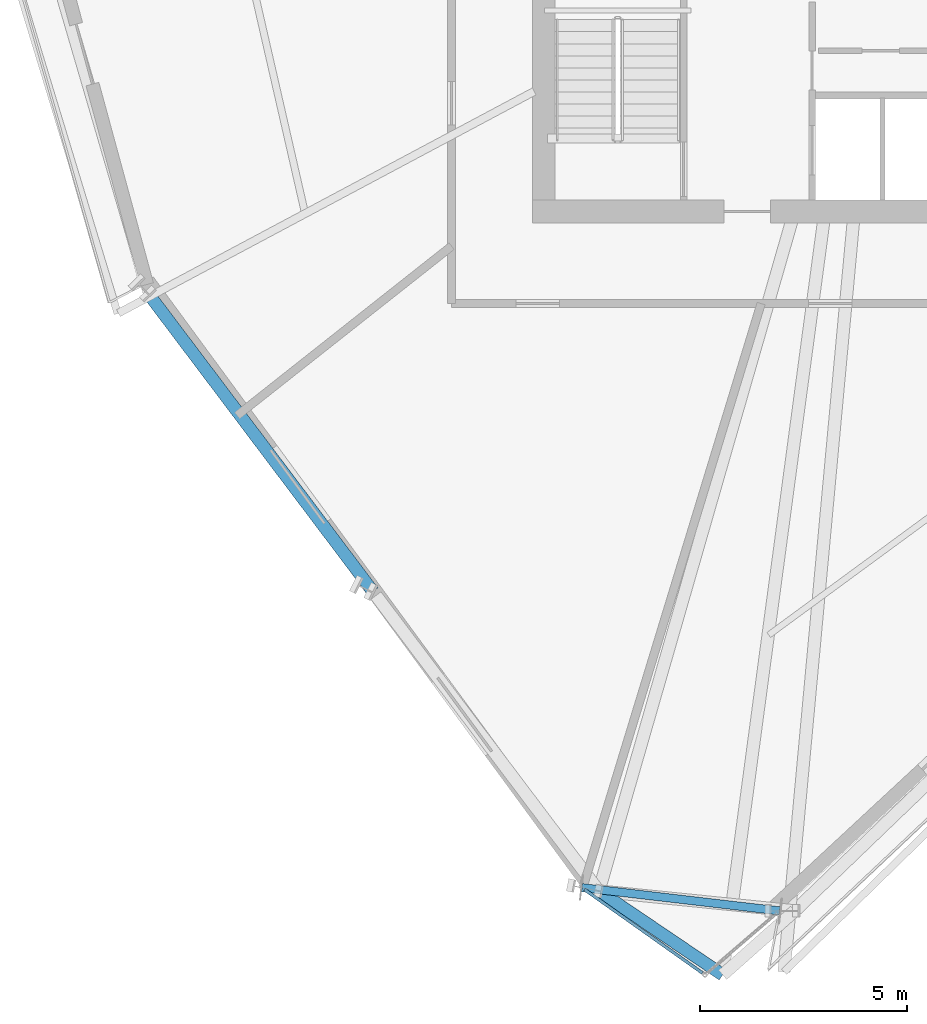
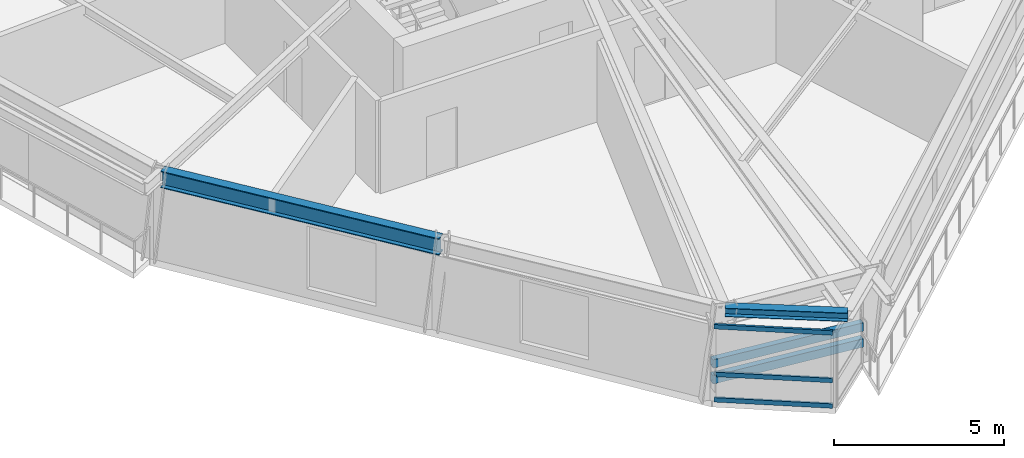
# One storey, part 3 of 15: 5 members, 2 beams, 1 element without a shape of its own.
"""IFC4 building model written with IfcOpenShell, lengths in metres."""

from ifc_helpers import new_model, si_unit, direction, frame, origin, origin_2d, place, context, subcontext, project, spatial, hollow_rectangle, i_section, extrude, source, transform, mapped, material, material_profile, profile_set, type_object, element, aggregate, save


model = new_model("IFC4")

# Units and contexts
model_context = context("Model", 3, precision=1e-05, world=origin(), true_north=direction((0.0, 1.0)))
body_context = subcontext(model_context, "Body", "Model", "MODEL_VIEW")
ifc_project = project(units=[si_unit("LENGTHUNIT", "METRE"), si_unit("AREAUNIT", "SQUARE_METRE"), si_unit("VOLUMEUNIT", "CUBIC_METRE"), si_unit("PLANEANGLEUNIT", "RADIAN"), si_unit("MASSUNIT", "GRAM", prefix="KILO")], contexts=[model_context])

# Site, building, storey
site_placement = place(None, origin())
site = spatial("IfcSite", under=ifc_project, at=site_placement, CompositionType="ELEMENT")
building_placement = place(site_placement, origin())
building = spatial("IfcBuilding", under=site, at=building_placement, Name="Olszyna Solenne Hotel", CompositionType="ELEMENT")
storey_placement = place(building_placement, frame((0.0, 0.0, 146.60009765625)))
storey = spatial("IfcBuildingStorey", under=building, at=storey_placement, Name="L38", CompositionType="ELEMENT", Elevation=146.60009765625)

# Beams
ifc_material_1 = material(Name="Steel S355J2", Category="steel")
ifc_material_profile_1 = material_profile(ifc_material_1, i_section(OverallWidth=0.300048828125, OverallDepth=0.60009765625, WebThickness=0.015380859375, FlangeThickness=0.030029296875, at=origin_2d()), Name="HEB 600", Category="load-bearing")
ifc_profile_set_1 = profile_set([ifc_material_profile_1], Name="Steel S355J2")
beam_type_1 = type_object("IfcBeamType", Name="BM-S2", PredefinedType="BEAM", material=ifc_profile_set_1)
shared_shape_1 = source(origin(), body_context, "Body", "SweptSolid", [
    extrude(i_section(OverallWidth=0.300048828125, OverallDepth=0.60009765625, WebThickness=0.015380859375, FlangeThickness=0.030029296875, at=origin_2d()), origin(), (0.0, 0.0, 1.0), 8.8720703125),
])
beam_1_placement = place(storey_placement, frame((20.361328125, 17.1337890625, 3.0), z_axis=(0.602071759325, -0.798441980749, 0.0), x_axis=(0.798441980749, 0.602071759325, 0.0)))
element("IfcBeam", 1, at=beam_1_placement, inside=storey, type_object=beam_type_1, Name="Perimeter spandrel beam BM-S2 B-L38-1132", PredefinedType="BEAM", context=body_context, shape_type="MappedRepresentation", body=[
    mapped(shared_shape_1, transform((0.0, 0.0, 0.0), x_axis=(1.0, 0.0, 0.0), y_axis=(0.0, 1.0, 0.0), z_axis=(0.0, 0.0, 1.0), scale=1.0)),
])
ifc_material_profile_2 = material_profile(ifc_material_1, i_section(OverallWidth=0.300048828125, OverallDepth=0.31005859375, WebThickness=0.009033203125, FlangeThickness=0.015380859375, at=origin_2d()), Name="HEA 320", Category="load-bearing")
ifc_profile_set_2 = profile_set([ifc_material_profile_2], Name="Steel S355J2")
beam_type_2 = type_object("IfcBeamType", Name="BM-G3", PredefinedType="BEAM", material=ifc_profile_set_2)
shared_shape_2 = source(origin(), body_context, "Body", "SweptSolid", [
    extrude(i_section(OverallWidth=0.300048828125, OverallDepth=0.31005859375, WebThickness=0.009033203125, FlangeThickness=0.015380859375, at=origin_2d()), origin(), (0.0, 0.0, 1.0), 3.60791015625),
])
beam_2_placement = place(storey_placement, frame((31.153076171875, 2.822509765625, 3.14501953125), z_axis=(0.828115271224, -0.560557844977, 0.0), x_axis=(0.560557844977, 0.828115271224, 0.0)))
element("IfcBeam", 2, at=beam_2_placement, inside=storey, type_object=beam_type_2, Name="Prism side edge beam BM-G3 B-L38-1147", PredefinedType="BEAM", context=body_context, shape_type="MappedRepresentation", body=[
    mapped(shared_shape_2, transform((0.0, 0.0, 0.0), x_axis=(1.0, 0.0, 0.0), y_axis=(0.0, 1.0, 0.0), z_axis=(0.0, 0.0, 1.0), scale=1.0)),
])

# Members
ifc_material_profile_3 = material_profile(ifc_material_1, hollow_rectangle(XDim=0.199951171875, YDim=0.300048828125, WallThickness=0.01611328125, at=origin_2d()), Name="RHS 300x200x16", Category="load-bearing")
ifc_profile_set_3 = profile_set([ifc_material_profile_3], Name="Steel S355J2")
member_type_1 = type_object("IfcMemberType", Name="CH-PR1", PredefinedType="CHORD", material=ifc_profile_set_3)
shared_shape_3 = source(origin(), body_context, "Body", "SweptSolid", [
    extrude(hollow_rectangle(XDim=0.199951171875, YDim=0.300048828125, WallThickness=0.01611328125, at=origin_2d()), origin(), (0.0, 0.0, 1.0), 4.80224609375),
])
for number, where, z_axis, x_axis, name in (
    (3, (30.74609375, 2.90380859375, 1.349853515625), (0.993170370048, -0.11667311626, 0.0), (0.11667311626, 0.993170370048, 0.0), "Glass-prism tie chord CH-PR1 M-L38-PR1"),
    (4, (30.74609375, 2.90380859375, 0.77978515625), (0.993170370048, -0.11667311626, 0.0), (0.11667311626, 0.993170370048, 0.0), "Glass-prism tie chord CH-PR1 M-L38-PR2"),
):
    element("IfcMember", number, at=place(storey_placement, frame(where, z_axis=z_axis, x_axis=x_axis)), inside=storey, type_object=member_type_1, Name=name, PredefinedType="CHORD", context=body_context, shape_type="MappedRepresentation", body=[
        mapped(shared_shape_3, transform((0.0, 0.0, 0.0), x_axis=(1.0, 0.0, 0.0), y_axis=(0.0, 1.0, 0.0), z_axis=(0.0, 0.0, 1.0), scale=1.0)),
    ])

# Curtain wall, members
ifc_material_2 = material(Name="Anodised bronze aluminium", Category="aluminium")
curtain_wall_type = type_object("IfcCurtainWallType", Name="CW-SYS-5", PredefinedType="NOTDEFINED", material=ifc_material_2)
curtain_wall_placement = place(storey_placement, origin())
curtain_wall = element("IfcCurtainWall", 5, at=curtain_wall_placement, inside=storey, type_object=curtain_wall_type, Name="Unitised curtain wall CW-SYS-5 CW-L38-02", PredefinedType="NOTDEFINED")
ifc_material_profile_4 = material_profile(ifc_material_2, hollow_rectangle(XDim=0.074951171875, YDim=0.159912109375, WallThickness=0.00390625, at=origin_2d()), Name="TRAN 160x75x4", Category="load-bearing")
ifc_profile_set_4 = profile_set([ifc_material_profile_4], Name="Anodised bronze aluminium")
member_type_2 = type_object("IfcMemberType", Name="CW-T1", PredefinedType="USERDEFINED", material=ifc_profile_set_4)
shared_shape_4 = source(origin(), body_context, "Body", "SweptSolid", [
    extrude(hollow_rectangle(XDim=0.074951171875, YDim=0.159912109375, WallThickness=0.00390625, at=origin_2d()), origin(), (0.0, 0.0, 1.0), 3.490234375),
])
member_1_placement = place(storey_placement, frame((30.80712890625, 2.8603515625, 0.037353515625), z_axis=(0.816094585796, -0.57791835672, 0.0), x_axis=(0.57791835672, 0.816094585796, 0.0)))
member_1 = element("IfcMember", 6, at=member_1_placement, type_object=member_type_2, Name="Curtain-wall transom CW-T1 CT-L38-02-01", ObjectType="TRANSOM", PredefinedType="USERDEFINED", context=body_context, shape_type="MappedRepresentation", body=[
    mapped(shared_shape_4, transform((0.0, 0.0, 0.0), x_axis=(1.0, 0.0, 0.0), y_axis=(0.0, 1.0, 0.0), z_axis=(0.0, 0.0, 1.0), scale=1.0)),
])
member_2_placement = place(storey_placement, frame((30.80712890625, 2.8603515625, 0.949951171875), z_axis=(0.816094585796, -0.57791835672, 0.0), x_axis=(0.57791835672, 0.816094585796, 0.0)))
member_2 = element("IfcMember", 7, at=member_2_placement, type_object=member_type_2, Name="Curtain-wall transom CW-T1 CT-L38-02-02", ObjectType="TRANSOM", PredefinedType="USERDEFINED", context=body_context, shape_type="MappedRepresentation", body=[
    mapped(shared_shape_4, transform((0.0, 0.0, 0.0), x_axis=(1.0, 0.0, 0.0), y_axis=(0.0, 1.0, 0.0), z_axis=(0.0, 0.0, 1.0), scale=1.0)),
])
member_3_placement = place(storey_placement, frame((30.80712890625, 2.8603515625, 2.654296875), z_axis=(0.816094585796, -0.57791835672, 0.0), x_axis=(0.57791835672, 0.816094585796, 0.0)))
member_3 = element("IfcMember", 8, at=member_3_placement, type_object=member_type_2, Name="Curtain-wall transom CW-T1 CT-L38-02-03", ObjectType="TRANSOM", PredefinedType="USERDEFINED", context=body_context, shape_type="MappedRepresentation", body=[
    mapped(shared_shape_4, transform((0.0, 0.0, 0.0), x_axis=(1.0, 0.0, 0.0), y_axis=(0.0, 1.0, 0.0), z_axis=(0.0, 0.0, 1.0), scale=1.0)),
])
aggregate(curtain_wall, [member_1, member_2, member_3])

save(model, "model.ifc")
